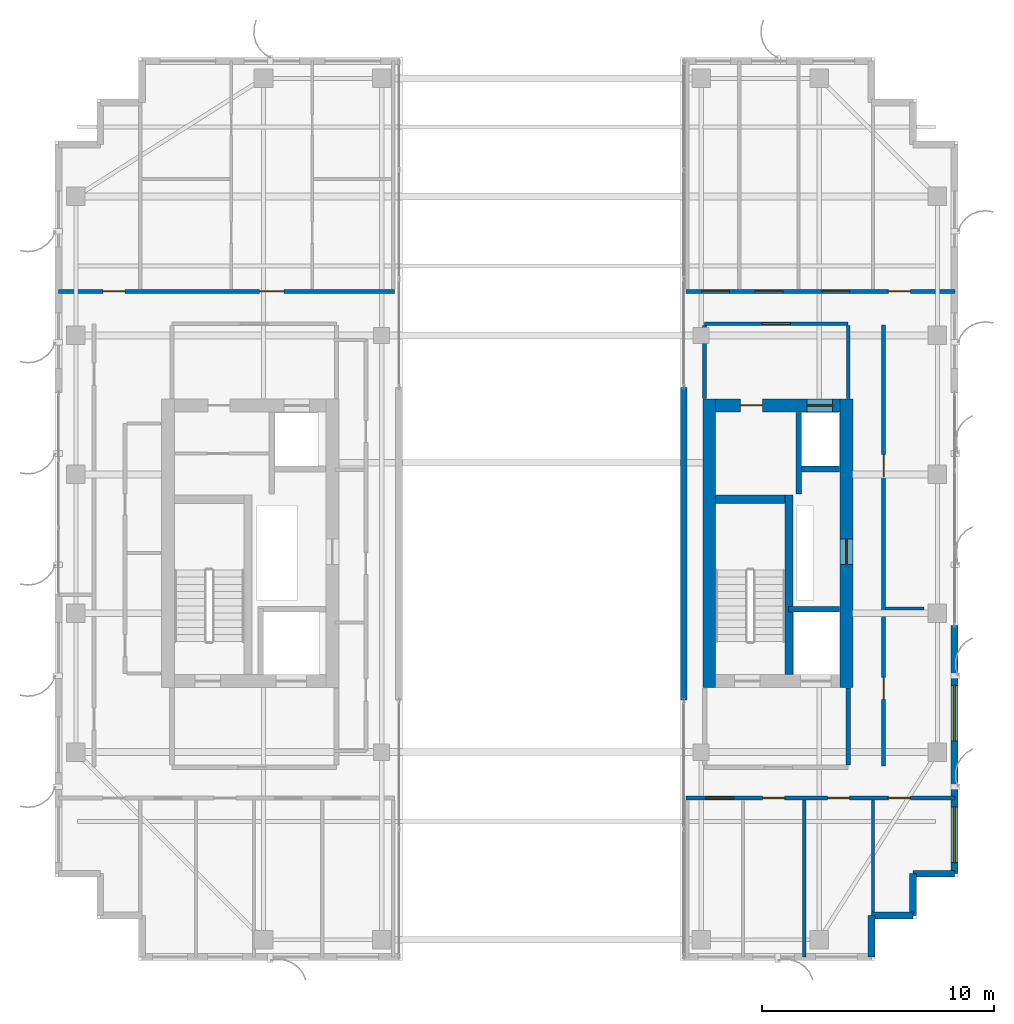
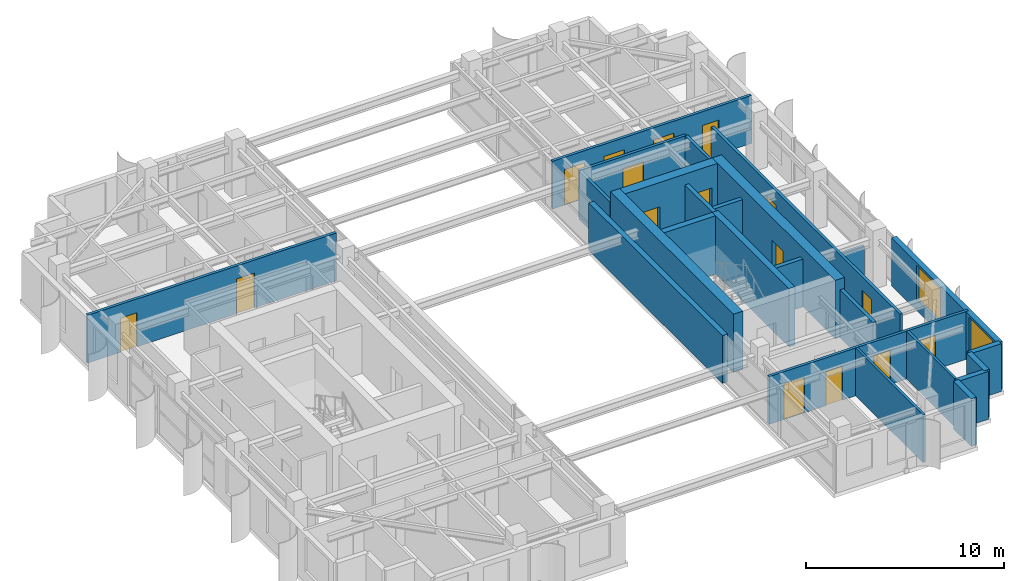
# One storey, part 21 of 25: 25 walls, 16 doors, 2 windows, 18 openings.
"""IFC4 building model written with IfcOpenShell, lengths in metres."""

from ifc_helpers import new_model, si_unit, direction, frame, frame_2d, origin, place, context, subcontext, project, spatial, rectangle, extrude, source, transform, mapped, material, layer, layer_set, type_object, element, fill, save


model = new_model("IFC4")

# Units and contexts
model_context = context("Model", 3, precision=1e-05, world=origin(), true_north=direction((0.0, 1.0)))
body_context = subcontext(model_context, "Body", "Model", "MODEL_VIEW")
ifc_project = project(units=[si_unit("LENGTHUNIT", "METRE"), si_unit("AREAUNIT", "SQUARE_METRE"), si_unit("VOLUMEUNIT", "CUBIC_METRE"), si_unit("PLANEANGLEUNIT", "RADIAN"), si_unit("MASSUNIT", "GRAM", prefix="KILO")], contexts=[model_context])

# Site, building, storey
site_placement = place(None, origin())
site = spatial("IfcSite", under=ifc_project, at=site_placement, CompositionType="ELEMENT")
building_placement = place(site_placement, origin())
building = spatial("IfcBuilding", under=site, at=building_placement, Name="Khoralis Quay Care Tower", CompositionType="ELEMENT")
storey_placement = place(building_placement, frame((0.0, 0.0, 263.699951171875)))
storey = spatial("IfcBuildingStorey", under=building, at=storey_placement, Name="L69", CompositionType="ELEMENT", Elevation=263.699951171875)

# Walls
ifc_material_1 = material(Name="Gypsum plasterboard on acoustic metal stud")
ifc_layer_1 = layer(ifc_material_1, 0.199951171875)
ifc_layer_set_1 = layer_set([ifc_layer_1], Name="Gypsum plasterboard on acoustic metal stud")
wall_type_1 = type_object("IfcWallType", Name="WL-COMP-200", PredefinedType="PARTITIONING", material=ifc_layer_set_1)
wall_1_placement = place(storey_placement, frame((37.25, 11.445068359375, 0.0), z_axis=(0.0, 0.0, 1.0), x_axis=(0.0, 1.0, 0.0)))
element("IfcWall", 1, at=wall_1_placement, inside=storey, type_object=wall_type_1, Name="L69 East Firefighting Lobby East Wall", PredefinedType="PARTITIONING", context=body_context, shape_type="SweptSolid", body=[
    extrude(rectangle(XDim=3.3349609375, YDim=0.199951171875, at=frame_2d((1.66748046875, 0.0))), origin(), (0.0, 0.0, 1.0), 2.949951171875),
])
ifc_material_2 = material(Name="Concrete C65/80", Category="concrete")
ifc_layer_2 = layer(ifc_material_2, 0.550048828125)
ifc_layer_set_2 = layer_set([ifc_layer_2], Name="Concrete C65/80")
wall_type_2 = type_object("IfcWallType", Name="WL-CORE-550", PredefinedType="SHEAR", material=ifc_layer_set_2)
wall_2_placement = place(storey_placement, frame((31.2451171875, 14.800048828125, 0.0), z_axis=(0.0, 0.0, 1.0), x_axis=(0.0, 1.0, 0.0)))
element("IfcWall", 2, at=wall_2_placement, inside=storey, type_object=wall_type_2, Name="L69 ECORE West Shear Wall", PredefinedType="SHEAR", context=body_context, shape_type="SweptSolid", body=[
    extrude(rectangle(XDim=12.449951171875, YDim=0.550048828125, at=frame_2d((6.22509765625, 0.0))), origin(), (0.0, 0.0, 1.0), 3.60009765625),
])

# Wall, opening, door
wall_3_placement = place(storey_placement, frame((37.175048828125, 14.800048828125, 0.0), z_axis=(0.0, 0.0, 1.0), x_axis=(0.0, 1.0, 0.0)))
wall_3 = element("IfcWall", 3, at=wall_3_placement, inside=storey, type_object=wall_type_2, Name="L69 ECORE East Shear Wall", PredefinedType="SHEAR", context=body_context, shape_type="SweptSolid", body=[
    extrude(rectangle(XDim=12.449951171875, YDim=0.550048828125, at=frame_2d((6.22509765625, 0.0))), origin(), (0.0, 0.0, 1.0), 3.60009765625),
])
opening_1_placement = place(wall_3_placement, frame((5.300048828125, 0.0, 0.0)))
opening_1 = element("IfcOpeningElement", 4, at=opening_1_placement, cuts=wall_3, Name="Opening SD1", PredefinedType="OPENING", context=body_context, shape_type="SweptSolid", body=[
    extrude(rectangle(XDim=1.10009765625, YDim=2.199951171875, at=frame_2d((0.550048828125, 1.10009765625))), frame((0.0, 0.28515625, 0.0), z_axis=(0.0, -1.0, 0.0), x_axis=(1.0, 0.0, 0.0)), (0.0, 0.0, 1.0), 0.570068359375),
])
ifc_material_3 = material(Name="Fire-rated painted steel", Category="steel")
door_type_1 = type_object("IfcDoorType", Name="DR-STAIR-1100X2200", OperationType="NOTDEFINED", PredefinedType="DOOR", material=ifc_material_3)
shared_shape_1 = source(origin(), body_context, "Body", "SweptSolid", [
    extrude(rectangle(XDim=1.10009765625, YDim=2.199951171875, at=frame_2d((0.550048828125, 1.10009765625))), frame((0.0, 0.02490234375, 0.0), z_axis=(0.0, -1.0, 0.0), x_axis=(1.0, 0.0, 0.0)), (0.0, 0.0, 1.0), 0.050048828125),
])
door_1_placement = place(opening_1_placement, frame((1.10009765625, 0.0, 0.0), z_axis=(0.0, 0.0, 1.0), x_axis=(-1.0, 0.0, 0.0)))
door_1 = element("IfcDoor", 5, at=door_1_placement, inside=storey, type_object=door_type_1, Name="L69 East MEP Riser Door", OperationType="SINGLE_SWING_RIGHT", OverallHeight=2.199951171875, OverallWidth=1.10009765625, PredefinedType="DOOR", context=body_context, shape_type="MappedRepresentation", body=[
    mapped(shared_shape_1, transform((0.0, 0.0, 0.0), scale=1.0)),
])
fill(opening_1, door_1)

# Wall, openings, doors
wall_4_placement = place(storey_placement, frame((31.52001953125, 26.97509765625, 0.0), z_axis=(0.0, 0.0, 1.0), x_axis=(1.0, 0.0, 0.0)))
wall_4 = element("IfcWall", 6, at=wall_4_placement, inside=storey, type_object=wall_type_2, Name="L69 ECORE North Shear Wall", PredefinedType="SHEAR", context=body_context, shape_type="SweptSolid", body=[
    extrude(rectangle(XDim=5.3798828125, YDim=0.550048828125, at=frame_2d((2.68994140625, 0.0))), origin(), (0.0, 0.0, 1.0), 3.60009765625),
])
opening_2_placement = place(wall_4_placement, frame((1.080078125, 0.0, 0.0)))
opening_2 = element("IfcOpeningElement", 7, at=opening_2_placement, cuts=wall_4, Name="Opening ID1", PredefinedType="OPENING", context=body_context, shape_type="SweptSolid", body=[
    extrude(rectangle(XDim=0.949951171875, YDim=2.10009765625, at=frame_2d((0.47509765625, 1.050048828125))), frame((0.0, 0.28515625, 0.0), z_axis=(0.0, -1.0, 0.0), x_axis=(1.0, 0.0, 0.0)), (0.0, 0.0, 1.0), 0.570068359375),
])
opening_3_placement = place(wall_4_placement, frame((3.9599609375, 0.0, 0.0)))
opening_3 = element("IfcOpeningElement", 8, at=opening_3_placement, cuts=wall_4, Name="Opening LD1", PredefinedType="OPENING", context=body_context, shape_type="SweptSolid", body=[
    extrude(rectangle(XDim=1.10009765625, YDim=2.199951171875, at=frame_2d((0.550048828125, 1.10009765625))), frame((0.0, 0.28515625, 0.0), z_axis=(0.0, -1.0, 0.0), x_axis=(1.0, 0.0, 0.0)), (0.0, 0.0, 1.0), 0.570068359375),
])
ifc_material_4 = material(Name="Brushed stainless steel", Category="steel")
door_type_2 = type_object("IfcDoorType", Name="DR-LIFT-1100X2200", OperationType="SLIDING_TO_LEFT", PredefinedType="DOOR", material=ifc_material_4)
shared_shape_2 = source(origin(), body_context, "Body", "SweptSolid", [
    extrude(rectangle(XDim=1.10009765625, YDim=2.199951171875, at=frame_2d((0.550048828125, 1.10009765625))), frame((0.0, 0.02490234375, 0.0), z_axis=(0.0, -1.0, 0.0), x_axis=(1.0, 0.0, 0.0)), (0.0, 0.0, 1.0), 0.050048828125),
])
door_2_placement = place(opening_3_placement, origin())
door_2 = element("IfcDoor", 9, at=door_2_placement, inside=storey, type_object=door_type_2, Name="L69 Lift PLH2 Landing Door", OperationType="SLIDING_TO_LEFT", OverallHeight=2.199951171875, OverallWidth=1.10009765625, PredefinedType="DOOR", context=body_context, shape_type="MappedRepresentation", body=[
    mapped(shared_shape_2, transform((0.0, 0.0, 0.0), scale=1.0)),
])
fill(opening_3, door_2)
ifc_material_5 = material(Name="Acoustic hardwood timber", Category="wood")
door_type_3 = type_object("IfcDoorType", Name="DR-ROOM-950X2100", OperationType="NOTDEFINED", PredefinedType="DOOR", material=ifc_material_5)
shared_shape_3 = source(origin(), body_context, "Body", "SweptSolid", [
    extrude(rectangle(XDim=0.949951171875, YDim=2.10009765625, at=frame_2d((0.47509765625, 1.050048828125))), frame((0.0, 0.02490234375, 0.0), z_axis=(0.0, -1.0, 0.0), x_axis=(1.0, 0.0, 0.0)), (0.0, 0.0, 1.0), 0.050048828125),
])
door_3_placement = place(opening_2_placement, frame((0.949951171875, 0.0, 0.0), z_axis=(0.0, 0.0, 1.0), x_axis=(-1.0, 0.0, 0.0)))
door_3 = element("IfcDoor", 10, at=door_3_placement, inside=storey, type_object=door_type_3, Name="L69 Rehab Gym Door", OperationType="SINGLE_SWING_RIGHT", OverallHeight=2.10009765625, OverallWidth=0.949951171875, PredefinedType="DOOR", context=body_context, shape_type="MappedRepresentation", body=[
    mapped(shared_shape_3, transform((0.0, 0.0, 0.0), scale=1.0)),
])
fill(opening_2, door_3)

# Wall, opening, door
ifc_layer_3 = layer(ifc_material_1, 0.1650390625)
ifc_layer_set_3 = layer_set([ifc_layer_3], Name="Gypsum plasterboard on acoustic metal stud")
wall_type_3 = type_object("IfcWallType", Name="WL-CORR-165", PredefinedType="PARTITIONING", material=ifc_layer_set_3)
wall_5_placement = place(storey_placement, frame((31.050048828125, 30.5, 0.0), z_axis=(0.0, 0.0, 1.0), x_axis=(1.0, 0.0, 0.0)))
wall_5 = element("IfcWall", 11, at=wall_5_placement, inside=storey, type_object=wall_type_3, Name="L69 East Lift Lobby North Wall", PredefinedType="PARTITIONING", context=body_context, shape_type="SweptSolid", body=[
    extrude(rectangle(XDim=6.199951171875, YDim=0.1650390625, at=frame_2d((3.10009765625, 0.0))), origin(), (0.0, 0.0, 1.0), 2.949951171875),
])
opening_4_placement = place(wall_5_placement, frame((2.5, 0.0, 0.0)))
opening_4 = element("IfcOpeningElement", 12, at=opening_4_placement, cuts=wall_5, Name="Opening FD1", PredefinedType="OPENING", context=body_context, shape_type="SweptSolid", body=[
    extrude(rectangle(XDim=1.199951171875, YDim=2.199951171875, at=frame_2d((0.60009765625, 1.10009765625))), frame((0.0, 0.092529296875, 0.0), z_axis=(0.0, -1.0, 0.0), x_axis=(1.0, 0.0, 0.0)), (0.0, 0.0, 1.0), 0.18505859375),
])
door_type_4 = type_object("IfcDoorType", Name="DR-FFL-1200X2200", OperationType="NOTDEFINED", PredefinedType="DOOR", material=ifc_material_3)
shared_shape_4 = source(origin(), body_context, "Body", "SweptSolid", [
    extrude(rectangle(XDim=1.199951171875, YDim=2.199951171875, at=frame_2d((0.60009765625, 1.10009765625))), frame((0.0, 0.02490234375, 0.0), z_axis=(0.0, -1.0, 0.0), x_axis=(1.0, 0.0, 0.0)), (0.0, 0.0, 1.0), 0.050048828125),
])
door_4_placement = place(opening_4_placement, origin())
door_4 = element("IfcDoor", 13, at=door_4_placement, inside=storey, type_object=door_type_4, Name="L69 East Lift Lobby Double Door", OperationType="DOUBLE_DOOR_SINGLE_SWING", OverallHeight=2.199951171875, OverallWidth=1.199951171875, PredefinedType="DOOR", context=body_context, shape_type="MappedRepresentation", body=[
    mapped(shared_shape_4, transform((0.0, 0.0, 0.0), scale=1.0)),
])
fill(opening_4, door_4)

# Walls
for number, where, z_axis, x_axis, name in (
    (14, (31.050048828125, 27.27001953125, 0.0), (0.0, 0.0, 1.0), (0.0, 1.0, 0.0), "L69 East Lift Lobby West Wall"),
    (15, (37.25, 27.27001953125, 0.0), (0.0, 0.0, 1.0), (0.0, 1.0, 0.0), "L69 East Lift Lobby East Wall"),
):
    element("IfcWall", number, at=place(storey_placement, frame(where, z_axis=z_axis, x_axis=x_axis)), inside=storey, type_object=wall_type_3, Name=name, PredefinedType="PARTITIONING", context=body_context, shape_type="SweptSolid", body=[
        extrude(rectangle(XDim=3.152587890625, YDim=0.1650390625, at=frame_2d((1.576171875, 0.0))), origin(), (0.0, 0.0, 1.0), 2.949951171875),
    ])

# Wall, openings, doors
wall_6_placement = place(storey_placement, frame((3.14501953125, 31.89990234375, 0.0), z_axis=(0.0, 0.0, 1.0), x_axis=(1.0, 0.0, 0.0)))
wall_6 = element("IfcWall", 16, at=wall_6_placement, inside=storey, type_object=wall_type_3, Name="L69 West Wing North Corridor Wall", PredefinedType="PARTITIONING", context=body_context, shape_type="SweptSolid", body=[
    extrude(rectangle(XDim=14.5048828125, YDim=0.1650390625, at=frame_2d((7.25244140625, 0.0))), origin(), (0.0, 0.0, 1.0), 2.949951171875),
])
opening_5_placement = place(wall_6_placement, frame((8.6884765625, 0.0, 0.0)))
opening_5 = element("IfcOpeningElement", 17, at=opening_5_placement, cuts=wall_6, Name="Opening UD1", PredefinedType="OPENING", context=body_context, shape_type="SweptSolid", body=[
    extrude(rectangle(XDim=1.050048828125, YDim=2.14990234375, at=frame_2d((0.52490234375, 1.074951171875))), frame((0.0, 0.092529296875, 0.0), z_axis=(0.0, -1.0, 0.0), x_axis=(1.0, 0.0, 0.0)), (0.0, 0.0, 1.0), 0.18505859375),
])
opening_6_placement = place(wall_6_placement, frame((1.919921875, 0.0, 0.0)))
opening_6 = element("IfcOpeningElement", 18, at=opening_6_placement, cuts=wall_6, Name="Opening ID1", PredefinedType="OPENING", context=body_context, shape_type="SweptSolid", body=[
    extrude(rectangle(XDim=0.949951171875, YDim=2.10009765625, at=frame_2d((0.47509765625, 1.050048828125))), frame((0.0, 0.092529296875, 0.0), z_axis=(0.0, -1.0, 0.0), x_axis=(1.0, 0.0, 0.0)), (0.0, 0.0, 1.0), 0.18505859375),
])
door_5_placement = place(opening_6_placement, origin())
door_5 = element("IfcDoor", 19, at=door_5_placement, inside=storey, type_object=door_type_3, Name="L69 NW Corner Door", OperationType="SINGLE_SWING_RIGHT", OverallHeight=2.10009765625, OverallWidth=0.949951171875, PredefinedType="DOOR", context=body_context, shape_type="MappedRepresentation", body=[
    mapped(shared_shape_3, transform((0.0, 0.0, 0.0), scale=1.0)),
])
fill(opening_6, door_5)
door_type_5 = type_object("IfcDoorType", Name="DR-SUITE-1050X2150", OperationType="NOTDEFINED", PredefinedType="DOOR", material=ifc_material_5)
shared_shape_5 = source(origin(), body_context, "Body", "SweptSolid", [
    extrude(rectangle(XDim=1.050048828125, YDim=2.14990234375, at=frame_2d((0.52490234375, 1.074951171875))), frame((0.0, 0.02490234375, 0.0), z_axis=(0.0, -1.0, 0.0), x_axis=(1.0, 0.0, 0.0)), (0.0, 0.0, 1.0), 0.050048828125),
])
door_6_placement = place(opening_5_placement, origin())
door_6 = element("IfcDoor", 20, at=door_6_placement, inside=storey, type_object=door_type_5, Name="L69 2BR WN0 Entrance", OperationType="SINGLE_SWING_RIGHT", OverallHeight=2.14990234375, OverallWidth=1.050048828125, PredefinedType="DOOR", context=body_context, shape_type="MappedRepresentation", body=[
    mapped(shared_shape_5, transform((0.0, 0.0, 0.0), scale=1.0)),
])
fill(opening_5, door_6)

wall_7_placement = place(storey_placement, frame((30.25, 10.02001953125, 0.0), z_axis=(0.0, 0.0, 1.0), x_axis=(1.0, 0.0, 0.0)))
wall_7 = element("IfcWall", 21, at=wall_7_placement, inside=storey, type_object=wall_type_3, Name="L69 East Wing South Corridor Wall", PredefinedType="PARTITIONING", context=body_context, shape_type="SweptSolid", body=[
    extrude(rectangle(XDim=11.60498046875, YDim=0.1650390625, at=frame_2d((5.802490234375, 0.0))), origin(), (0.0, 0.0, 1.0), 2.949951171875),
])
opening_7_placement = place(wall_7_placement, frame((0.85498046875, 0.0, 0.0)))
opening_7 = element("IfcOpeningElement", 22, at=opening_7_placement, cuts=wall_7, Name="Opening FD1", PredefinedType="OPENING", context=body_context, shape_type="SweptSolid", body=[
    extrude(rectangle(XDim=1.199951171875, YDim=2.199951171875, at=frame_2d((0.60009765625, 1.10009765625))), frame((0.0, 0.092529296875, 0.0), z_axis=(0.0, -1.0, 0.0), x_axis=(1.0, 0.0, 0.0)), (0.0, 0.0, 1.0), 0.18505859375),
])
opening_8_placement = place(wall_7_placement, frame((3.304931640625, 0.0, 0.0)))
opening_8 = element("IfcOpeningElement", 23, at=opening_8_placement, cuts=wall_7, Name="Opening ID1", PredefinedType="OPENING", context=body_context, shape_type="SweptSolid", body=[
    extrude(rectangle(XDim=0.949951171875, YDim=2.10009765625, at=frame_2d((0.47509765625, 1.050048828125))), frame((0.0, 0.092529296875, 0.0), z_axis=(0.0, -1.0, 0.0), x_axis=(1.0, 0.0, 0.0)), (0.0, 0.0, 1.0), 0.18505859375),
])
opening_9_placement = place(wall_7_placement, frame((6.110107421875, 0.0, 0.0)))
opening_9 = element("IfcOpeningElement", 24, at=opening_9_placement, cuts=wall_7, Name="Opening ID1", PredefinedType="OPENING", context=body_context, shape_type="SweptSolid", body=[
    extrude(rectangle(XDim=0.949951171875, YDim=2.10009765625, at=frame_2d((0.47509765625, 1.050048828125))), frame((0.0, 0.092529296875, 0.0), z_axis=(0.0, -1.0, 0.0), x_axis=(1.0, 0.0, 0.0)), (0.0, 0.0, 1.0), 0.18505859375),
])
opening_10_placement = place(wall_7_placement, frame((8.735107421875, 0.0, 0.0)))
opening_10 = element("IfcOpeningElement", 25, at=opening_10_placement, cuts=wall_7, Name="Opening ID1", PredefinedType="OPENING", context=body_context, shape_type="SweptSolid", body=[
    extrude(rectangle(XDim=0.949951171875, YDim=2.10009765625, at=frame_2d((0.47509765625, 1.050048828125))), frame((0.0, 0.092529296875, 0.0), z_axis=(0.0, -1.0, 0.0), x_axis=(1.0, 0.0, 0.0)), (0.0, 0.0, 1.0), 0.18505859375),
])
door_7_placement = place(opening_7_placement, frame((1.199951171875, 0.0, 0.0), z_axis=(0.0, 0.0, 1.0), x_axis=(-1.0, 0.0, 0.0)))
door_7 = element("IfcDoor", 26, at=door_7_placement, inside=storey, type_object=door_type_4, Name="L69 Senior Wellness Pharmacy Shop Door", OperationType="DOUBLE_DOOR_SINGLE_SWING", OverallHeight=2.199951171875, OverallWidth=1.199951171875, PredefinedType="DOOR", context=body_context, shape_type="MappedRepresentation", body=[
    mapped(shared_shape_4, transform((0.0, 0.0, 0.0), scale=1.0)),
])
fill(opening_7, door_7)
door_8_placement = place(opening_8_placement, frame((0.949951171875, 0.0, 0.0), z_axis=(0.0, 0.0, 1.0), x_axis=(-1.0, 0.0, 0.0)))
door_8 = element("IfcDoor", 27, at=door_8_placement, inside=storey, type_object=door_type_3, Name="L69 Family Case Conference Room Door", OperationType="SINGLE_SWING_RIGHT", OverallHeight=2.10009765625, OverallWidth=0.949951171875, PredefinedType="DOOR", context=body_context, shape_type="MappedRepresentation", body=[
    mapped(shared_shape_3, transform((0.0, 0.0, 0.0), scale=1.0)),
])
fill(opening_8, door_8)
door_9_placement = place(opening_9_placement, frame((0.949951171875, 0.0, 0.0), z_axis=(0.0, 0.0, 1.0), x_axis=(-1.0, 0.0, 0.0)))
door_9 = element("IfcDoor", 28, at=door_9_placement, inside=storey, type_object=door_type_3, Name="L69 Care Coordination Office Door", OperationType="SINGLE_SWING_LEFT", OverallHeight=2.10009765625, OverallWidth=0.949951171875, PredefinedType="DOOR", context=body_context, shape_type="MappedRepresentation", body=[
    mapped(shared_shape_3, transform((0.0, 0.0, 0.0), scale=1.0)),
])
fill(opening_9, door_9)
door_10_placement = place(opening_10_placement, frame((0.949951171875, 0.0, 0.0), z_axis=(0.0, 0.0, 1.0), x_axis=(-1.0, 0.0, 0.0)))
door_10 = element("IfcDoor", 29, at=door_10_placement, inside=storey, type_object=door_type_3, Name="L69 SE Corner Door", OperationType="SINGLE_SWING_RIGHT", OverallHeight=2.10009765625, OverallWidth=0.949951171875, PredefinedType="DOOR", context=body_context, shape_type="MappedRepresentation", body=[
    mapped(shared_shape_3, transform((0.0, 0.0, 0.0), scale=1.0)),
])
fill(opening_10, door_10)

wall_8_placement = place(storey_placement, frame((30.25, 31.89990234375, 0.0), z_axis=(0.0, 0.0, 1.0), x_axis=(1.0, 0.0, 0.0)))
wall_8 = element("IfcWall", 30, at=wall_8_placement, inside=storey, type_object=wall_type_3, Name="L69 East Wing North Corridor Wall", PredefinedType="PARTITIONING", context=body_context, shape_type="SweptSolid", body=[
    extrude(rectangle(XDim=11.60498046875, YDim=0.1650390625, at=frame_2d((5.802490234375, 0.0))), origin(), (0.0, 0.0, 1.0), 2.949951171875),
])
opening_11_placement = place(wall_8_placement, frame((0.675048828125, 0.0, 0.0)))
opening_11 = element("IfcOpeningElement", 31, at=opening_11_placement, cuts=wall_8, Name="Opening FD1", PredefinedType="OPENING", context=body_context, shape_type="SweptSolid", body=[
    extrude(rectangle(XDim=1.199951171875, YDim=2.199951171875, at=frame_2d((0.60009765625, 1.10009765625))), frame((0.0, 0.092529296875, 0.0), z_axis=(0.0, -1.0, 0.0), x_axis=(1.0, 0.0, 0.0)), (0.0, 0.0, 1.0), 0.18505859375),
])
opening_12_placement = place(wall_8_placement, frame((2.97998046875, 0.0, 0.0)))
opening_12 = element("IfcOpeningElement", 32, at=opening_12_placement, cuts=wall_8, Name="Opening FD1", PredefinedType="OPENING", context=body_context, shape_type="SweptSolid", body=[
    extrude(rectangle(XDim=1.199951171875, YDim=2.199951171875, at=frame_2d((0.60009765625, 1.10009765625))), frame((0.0, 0.092529296875, 0.0), z_axis=(0.0, -1.0, 0.0), x_axis=(1.0, 0.0, 0.0)), (0.0, 0.0, 1.0), 0.18505859375),
])
opening_13_placement = place(wall_8_placement, frame((5.864990234375, 0.0, 0.0)))
opening_13 = element("IfcOpeningElement", 33, at=opening_13_placement, cuts=wall_8, Name="Opening FD1", PredefinedType="OPENING", context=body_context, shape_type="SweptSolid", body=[
    extrude(rectangle(XDim=1.199951171875, YDim=2.199951171875, at=frame_2d((0.60009765625, 1.10009765625))), frame((0.0, 0.092529296875, 0.0), z_axis=(0.0, -1.0, 0.0), x_axis=(1.0, 0.0, 0.0)), (0.0, 0.0, 1.0), 0.18505859375),
])
opening_14_placement = place(wall_8_placement, frame((8.735107421875, 0.0, 0.0)))
opening_14 = element("IfcOpeningElement", 34, at=opening_14_placement, cuts=wall_8, Name="Opening ID1", PredefinedType="OPENING", context=body_context, shape_type="SweptSolid", body=[
    extrude(rectangle(XDim=0.949951171875, YDim=2.10009765625, at=frame_2d((0.47509765625, 1.050048828125))), frame((0.0, 0.092529296875, 0.0), z_axis=(0.0, -1.0, 0.0), x_axis=(1.0, 0.0, 0.0)), (0.0, 0.0, 1.0), 0.18505859375),
])
door_11_placement = place(opening_11_placement, origin())
door_11 = element("IfcDoor", 35, at=door_11_placement, inside=storey, type_object=door_type_4, Name="L69 Senior Wellness Pharmacy Shop Door", OperationType="DOUBLE_DOOR_SINGLE_SWING", OverallHeight=2.199951171875, OverallWidth=1.199951171875, PredefinedType="DOOR", context=body_context, shape_type="MappedRepresentation", body=[
    mapped(shared_shape_4, transform((0.0, 0.0, 0.0), scale=1.0)),
])
fill(opening_11, door_11)
door_12_placement = place(opening_12_placement, origin())
door_12 = element("IfcDoor", 36, at=door_12_placement, inside=storey, type_object=door_type_4, Name="L69 Assisted Communal Dining Room Door", OperationType="DOUBLE_DOOR_SINGLE_SWING", OverallHeight=2.199951171875, OverallWidth=1.199951171875, PredefinedType="DOOR", context=body_context, shape_type="MappedRepresentation", body=[
    mapped(shared_shape_4, transform((0.0, 0.0, 0.0), scale=1.0)),
])
fill(opening_12, door_12)
door_13_placement = place(opening_13_placement, origin())
door_13 = element("IfcDoor", 37, at=door_13_placement, inside=storey, type_object=door_type_4, Name="L69 Resident Communal Day Lounge Door", OperationType="DOUBLE_DOOR_SINGLE_SWING", OverallHeight=2.199951171875, OverallWidth=1.199951171875, PredefinedType="DOOR", context=body_context, shape_type="MappedRepresentation", body=[
    mapped(shared_shape_4, transform((0.0, 0.0, 0.0), scale=1.0)),
])
fill(opening_13, door_13)
door_14_placement = place(opening_14_placement, origin())
door_14 = element("IfcDoor", 38, at=door_14_placement, inside=storey, type_object=door_type_3, Name="L69 NE Corner Door", OperationType="SINGLE_SWING_LEFT", OverallHeight=2.10009765625, OverallWidth=0.949951171875, PredefinedType="DOOR", context=body_context, shape_type="MappedRepresentation", body=[
    mapped(shared_shape_3, transform((0.0, 0.0, 0.0), scale=1.0)),
])
fill(opening_14, door_14)

wall_9_placement = place(storey_placement, frame((38.780029296875, 11.39990234375, 0.0), z_axis=(0.0, 0.0, 1.0), x_axis=(0.0, 1.0, 0.0)))
wall_9 = element("IfcWall", 39, at=wall_9_placement, inside=storey, type_object=wall_type_3, Name="L69 East High-Rise Suite Wall", PredefinedType="PARTITIONING", context=body_context, shape_type="SweptSolid", body=[
    extrude(rectangle(XDim=19.050048828125, YDim=0.1650390625, at=frame_2d((9.52490234375, 0.0))), origin(), (0.0, 0.0, 1.0), 2.949951171875),
])
opening_15_placement = place(wall_9_placement, frame((2.875, 0.0, 0.0)))
opening_15 = element("IfcOpeningElement", 40, at=opening_15_placement, cuts=wall_9, Name="Opening ID1", PredefinedType="OPENING", context=body_context, shape_type="SweptSolid", body=[
    extrude(rectangle(XDim=0.949951171875, YDim=2.10009765625, at=frame_2d((0.47509765625, 1.050048828125))), frame((0.0, 0.092529296875, 0.0), z_axis=(0.0, -1.0, 0.0), x_axis=(1.0, 0.0, 0.0)), (0.0, 0.0, 1.0), 0.18505859375),
])
opening_16_placement = place(wall_9_placement, frame((12.5, 0.0, 0.0)))
opening_16 = element("IfcOpeningElement", 41, at=opening_16_placement, cuts=wall_9, Name="Opening ID1", PredefinedType="OPENING", context=body_context, shape_type="SweptSolid", body=[
    extrude(rectangle(XDim=0.949951171875, YDim=2.10009765625, at=frame_2d((0.47509765625, 1.050048828125))), frame((0.0, 0.092529296875, 0.0), z_axis=(0.0, -1.0, 0.0), x_axis=(1.0, 0.0, 0.0)), (0.0, 0.0, 1.0), 0.18505859375),
])
door_15_placement = place(opening_15_placement, origin())
door_15 = element("IfcDoor", 42, at=door_15_placement, inside=storey, type_object=door_type_3, Name="L69 East High-Rise Sun Lounge Door", OperationType="SINGLE_SWING_LEFT", OverallHeight=2.10009765625, OverallWidth=0.949951171875, PredefinedType="DOOR", context=body_context, shape_type="MappedRepresentation", body=[
    mapped(shared_shape_3, transform((0.0, 0.0, 0.0), scale=1.0)),
])
fill(opening_15, door_15)
door_16_placement = place(opening_16_placement, origin())
door_16 = element("IfcDoor", 43, at=door_16_placement, inside=storey, type_object=door_type_3, Name="L69 East High-Rise Reading Suite Door", OperationType="SINGLE_SWING_RIGHT", OverallHeight=2.10009765625, OverallWidth=0.949951171875, PredefinedType="DOOR", context=body_context, shape_type="MappedRepresentation", body=[
    mapped(shared_shape_3, transform((0.0, 0.0, 0.0), scale=1.0)),
])
fill(opening_16, door_16)

# Walls
ifc_material_6 = material(Name="Precast concrete C45/55", Category="concrete")
ifc_layer_4 = layer(ifc_material_6, 0.300048828125)
ifc_layer_set_4 = layer_set([ifc_layer_4], Name="Precast concrete C45/55")
wall_type_4 = type_object("IfcWallType", Name="WL-EXT-REF-300", PredefinedType="SOLIDWALL", material=ifc_layer_set_4)
for number, where, z_axis, x_axis, name in (
    (44, (38.25, 3.14990234375, 0.0), (0.0, 0.0, 1.0), (0.0, 1.0, 0.0), "L69 External Facade Wall WL-EXT-L69-P2-C1"),
    (45, (38.25, 4.949951171875, 0.0), (0.0, 0.0, 1.0), (1.0, 0.0, 0.0), "L69 External Facade Wall WL-EXT-L69-P2-C2"),
    (46, (40.050048828125, 4.949951171875, 0.0), (0.0, 0.0, 1.0), (0.0, 1.0, 0.0), "L69 External Facade Wall WL-EXT-L69-P2-C3"),
    (47, (40.050048828125, 6.75, 0.0), (0.0, 0.0, 1.0), (1.0, 0.0, 0.0), "L69 External Facade Wall WL-EXT-L69-P2-C4"),
):
    element("IfcWall", number, at=place(storey_placement, frame(where, z_axis=z_axis, x_axis=x_axis)), inside=storey, type_object=wall_type_4, Name=name, PredefinedType="SOLIDWALL", context=body_context, shape_type="SweptSolid", body=[
        extrude(rectangle(XDim=1.800048828125, YDim=0.300048828125, at=frame_2d((0.89990234375, 0.0))), origin(), (0.0, 0.0, 1.0), 2.949951171875),
    ])

# Wall, openings, windows
wall_10_placement = place(storey_placement, frame((41.85009765625, 6.75, 0.0), z_axis=(0.0, 0.0, 1.0), x_axis=(0.0, 1.0, 0.0)))
wall_10 = element("IfcWall", 48, at=wall_10_placement, inside=storey, type_object=wall_type_4, Name="L69 External Facade Wall WL-EXT-L69-P2-E5A", PredefinedType="SOLIDWALL", context=body_context, shape_type="SweptSolid", body=[
    extrude(rectangle(XDim=10.7099609375, YDim=0.300048828125, at=frame_2d((5.35498046875, 0.0))), origin(), (0.0, 0.0, 1.0), 2.949951171875),
])
opening_17_placement = place(wall_10_placement, frame((0.485107421875, 0.0, 0.68994140625)))
opening_17 = element("IfcOpeningElement", 49, at=opening_17_placement, cuts=wall_10, Name="Opening W1", PredefinedType="OPENING", context=body_context, shape_type="SweptSolid", body=[
    extrude(rectangle(XDim=2.39990234375, YDim=2.10009765625, at=frame_2d((1.199951171875, 1.050048828125))), frame((0.0, 0.16015625, 0.0), z_axis=(0.0, -1.0, 0.0), x_axis=(1.0, 0.0, 0.0)), (0.0, 0.0, 1.0), 0.320068359375),
])
opening_18_placement = place(wall_10_placement, frame((5.739990234375, 0.0, 0.68994140625)))
opening_18 = element("IfcOpeningElement", 50, at=opening_18_placement, cuts=wall_10, Name="Opening W1", PredefinedType="OPENING", context=body_context, shape_type="SweptSolid", body=[
    extrude(rectangle(XDim=2.39990234375, YDim=2.10009765625, at=frame_2d((1.199951171875, 1.050048828125))), frame((0.0, 0.16015625, 0.0), z_axis=(0.0, -1.0, 0.0), x_axis=(1.0, 0.0, 0.0)), (0.0, 0.0, 1.0), 0.320068359375),
])
ifc_material_7 = material(Name="Low-E solar-control double glazing", Category="glass")
window_type = type_object("IfcWindowType", Name="WN-POD-2400X2100", PartitioningType="SINGLE_PANEL", PredefinedType="WINDOW", material=ifc_material_7)
shared_shape_6 = source(origin(), body_context, "Body", "SweptSolid", [
    extrude(rectangle(XDim=2.39990234375, YDim=2.10009765625, at=frame_2d((1.199951171875, 1.050048828125))), frame((0.0, 0.030029296875, 0.0), z_axis=(0.0, -1.0, 0.0), x_axis=(1.0, 0.0, 0.0)), (0.0, 0.0, 1.0), 0.06005859375),
])
window_1_placement = place(opening_17_placement, origin())
window_1 = element("IfcWindow", 51, at=window_1_placement, inside=storey, type_object=window_type, Name="WN-L69-P2-E5A Facade Window 01", OverallHeight=2.10009765625, OverallWidth=2.39990234375, PartitioningType="SINGLE_PANEL", PredefinedType="WINDOW", context=body_context, shape_type="MappedRepresentation", body=[
    mapped(shared_shape_6, transform((0.0, 0.0, 0.0), scale=1.0)),
])
fill(opening_17, window_1)
window_2_placement = place(opening_18_placement, origin())
window_2 = element("IfcWindow", 52, at=window_2_placement, inside=storey, type_object=window_type, Name="WN-L69-P2-E5A Facade Window 02", OverallHeight=2.10009765625, OverallWidth=2.39990234375, PartitioningType="SINGLE_PANEL", PredefinedType="WINDOW", context=body_context, shape_type="MappedRepresentation", body=[
    mapped(shared_shape_6, transform((0.0, 0.0, 0.0), scale=1.0)),
])
fill(opening_18, window_2)

# Walls
wall_11_placement = place(storey_placement, frame((30.14990234375, 14.25, 0.0), z_axis=(0.0, 0.0, 1.0), x_axis=(0.0, 1.0, 0.0)))
element("IfcWall", 53, at=wall_11_placement, inside=storey, type_object=wall_type_4, Name="L69 External Facade Wall WL-VP-L69-P2-M", PredefinedType="SOLIDWALL", context=body_context, shape_type="SweptSolid", body=[
    extrude(rectangle(XDim=13.5, YDim=0.300048828125, at=frame_2d((6.75, 0.0))), origin(), (0.0, 0.0, 1.0), 2.949951171875),
])
ifc_material_8 = material(Name="Concrete C40/50", Category="concrete")
ifc_layer_5 = layer(ifc_material_8, 0.35009765625)
ifc_layer_set_5 = layer_set([ifc_layer_5], Name="Concrete C40/50")
wall_type_5 = type_object("IfcWallType", Name="WL-SC-CORE-350", PredefinedType="SHEAR", material=ifc_layer_set_5)
wall_12_placement = place(storey_placement, frame((34.695068359375, 15.35009765625, 0.0), z_axis=(0.0, 0.0, 1.0), x_axis=(0.0, 1.0, 0.0)))
element("IfcWall", 54, at=wall_12_placement, inside=storey, type_object=wall_type_5, Name="L69 Stair ST-T2 Shear Baffle Wall East", PredefinedType="SHEAR", context=body_context, shape_type="SweptSolid", body=[
    extrude(rectangle(XDim=7.75, YDim=0.35009765625, at=frame_2d((3.875, 0.0))), origin(), (0.0, 0.0, 1.0), 3.60009765625),
])
wall_13_placement = place(storey_placement, frame((31.52001953125, 22.925048828125, 0.0), z_axis=(0.0, 0.0, 1.0), x_axis=(1.0, 0.0, 0.0)))
element("IfcWall", 55, at=wall_13_placement, inside=storey, type_object=wall_type_5, Name="L69 Stair ST-T2 Shear Baffle Wall North", PredefinedType="SHEAR", context=body_context, shape_type="SweptSolid", body=[
    extrude(rectangle(XDim=3.0, YDim=0.35009765625, at=frame_2d((1.5, 0.0))), origin(), (0.0, 0.0, 1.0), 3.60009765625),
])
ifc_layer_6 = layer(ifc_material_1, 0.239990234375)
ifc_layer_set_6 = layer_set([ifc_layer_6], Name="Gypsum plasterboard on acoustic metal stud")
wall_type_6 = type_object("IfcWallType", Name="WL-SHAFT-240", PredefinedType="PARTITIONING", material=ifc_layer_set_6)
wall_14_placement = place(storey_placement, frame((34.679931640625, 18.169921875, 0.0), z_axis=(0.0, 0.0, 1.0), x_axis=(1.0, 0.0, 0.0)))
element("IfcWall", 56, at=wall_14_placement, inside=storey, type_object=wall_type_6, Name="L69 FFL-2 Shaft Wall North", PredefinedType="PARTITIONING", context=body_context, shape_type="SweptSolid", body=[
    extrude(rectangle(XDim=2.199951171875, YDim=0.239990234375, at=frame_2d((1.10009765625, 0.0))), origin(), (0.0, 0.0, 1.0), 2.949951171875),
])
wall_15_placement = place(storey_placement, frame((35.110107421875, 23.139892578125, 0.0), z_axis=(0.0, 0.0, 1.0), x_axis=(0.0, 1.0, 0.0)))
element("IfcWall", 57, at=wall_15_placement, inside=storey, type_object=wall_type_6, Name="L69 High-Rise Reclaimed Bay Wall East", PredefinedType="PARTITIONING", context=body_context, shape_type="SweptSolid", body=[
    extrude(rectangle(XDim=3.5400390625, YDim=0.239990234375, at=frame_2d((1.77001953125, 0.0))), origin(), (0.0, 0.0, 1.0), 2.949951171875),
])
wall_16_placement = place(storey_placement, frame((35.22509765625, 24.22998046875, 0.0), z_axis=(0.0, 0.0, 1.0), x_axis=(1.0, 0.0, 0.0)))
element("IfcWall", 58, at=wall_16_placement, inside=storey, type_object=wall_type_6, Name="L69 High-Rise Shaft South Wall East", PredefinedType="PARTITIONING", context=body_context, shape_type="SweptSolid", body=[
    extrude(rectangle(XDim=1.65478515625, YDim=0.239990234375, at=frame_2d((0.827392578125, 0.0))), origin(), (0.0, 0.0, 1.0), 2.949951171875),
])
ifc_layer_7 = layer(ifc_material_1, 0.139892578125)
ifc_layer_set_7 = layer_set([ifc_layer_7], Name="Gypsum plasterboard on acoustic metal stud")
wall_type_7 = type_object("IfcWallType", Name="WL-UNIT-140", PredefinedType="PARTITIONING", material=ifc_layer_set_7)
wall_17_placement = place(storey_placement, frame((38.857421875, 18.199951171875, 0.0), z_axis=(0.0, 0.0, 1.0), x_axis=(1.0, 0.0, 0.0)))
element("IfcWall", 59, at=wall_17_placement, inside=storey, type_object=wall_type_7, Name="L69 East High-Rise Split", PredefinedType="PARTITIONING", context=body_context, shape_type="SweptSolid", body=[
    extrude(rectangle(XDim=1.66259765625, YDim=0.139892578125, at=frame_2d((0.831298828125, 0.0))), origin(), (0.0, 0.0, 1.0), 2.449951171875),
])
wall_18_placement = place(storey_placement, frame((35.35009765625, 3.14501953125, 0.0), z_axis=(0.0, 0.0, 1.0), x_axis=(0.0, 1.0, 0.0)))
element("IfcWall", 60, at=wall_18_placement, inside=storey, type_object=wall_type_7, Name="L69 ES Demising Wall 2", PredefinedType="PARTITIONING", context=body_context, shape_type="SweptSolid", body=[
    extrude(rectangle(XDim=6.79736328125, YDim=0.139892578125, at=frame_2d((3.398681640625, 0.0))), origin(), (0.0, 0.0, 1.0), 2.949951171875),
])
wall_19_placement = place(storey_placement, frame((38.320068359375, 4.945068359375, 0.0), z_axis=(0.0, 0.0, 1.0), x_axis=(0.0, 1.0, 0.0)))
element("IfcWall", 61, at=wall_19_placement, inside=storey, type_object=wall_type_7, Name="L69 ES Demising Wall 3", PredefinedType="PARTITIONING", context=body_context, shape_type="SweptSolid", body=[
    extrude(rectangle(XDim=4.997314453125, YDim=0.139892578125, at=frame_2d((2.49853515625, 0.0))), origin(), (0.0, 0.0, 1.0), 2.949951171875),
])

save(model, "model.ifc")
